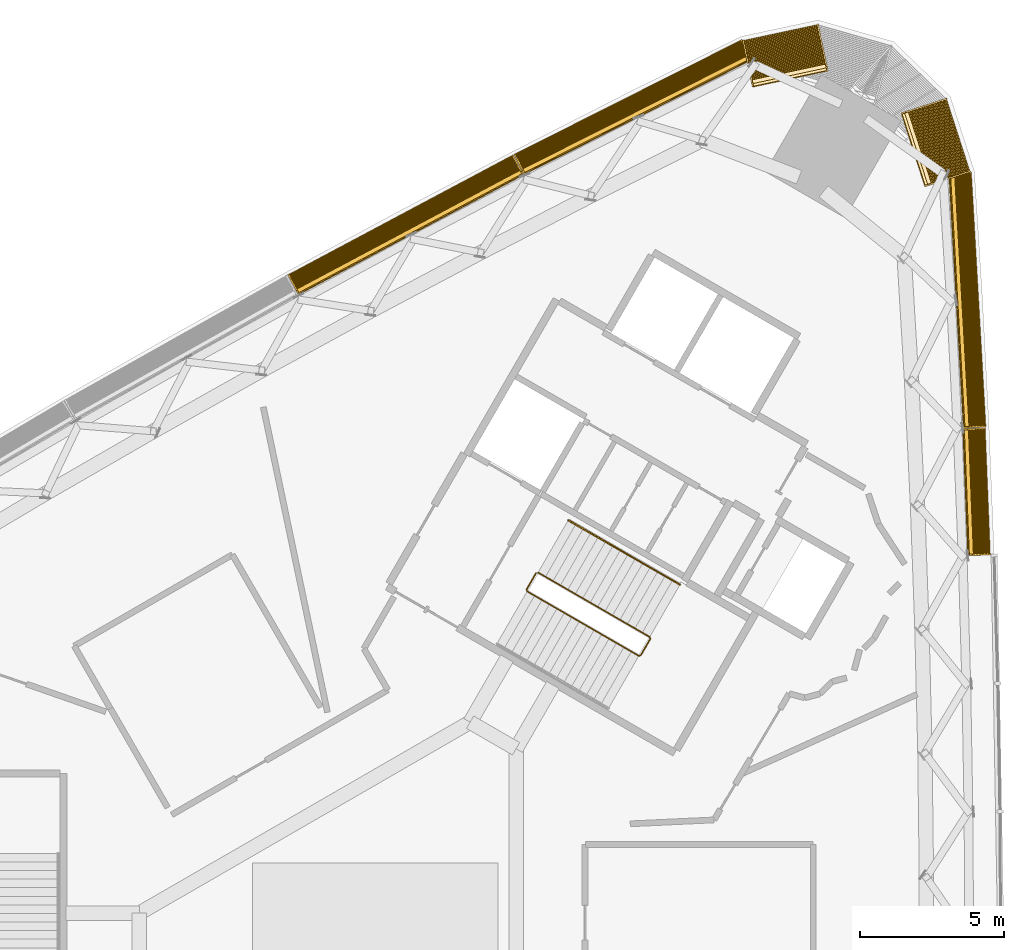
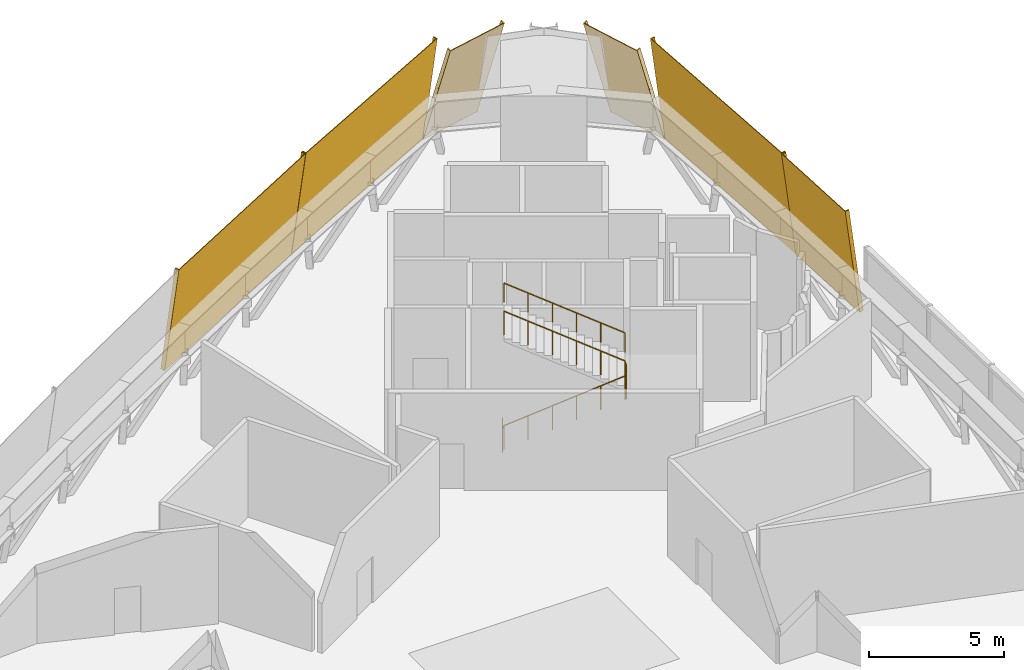
# One storey, part 16 of 17: 6 coverings, 2 railings.
"""IFC4 building model written with IfcOpenShell, lengths in metres."""

from ifc_helpers import new_model, si_unit, direction, frame, frame_2d, origin, origin_2d, place, context, subcontext, project, spatial, rectangle, circle, extrude, source, transform, mapped, material, type_object, element, save


model = new_model("IFC4")

# Units and contexts
model_context = context("Model", 3, precision=1e-05, world=origin(), true_north=direction((0.0, 1.0)))
body_context = subcontext(model_context, "Body", "Model", "MODEL_VIEW")
ifc_project = project(units=[si_unit("LENGTHUNIT", "METRE"), si_unit("AREAUNIT", "SQUARE_METRE"), si_unit("VOLUMEUNIT", "CUBIC_METRE"), si_unit("PLANEANGLEUNIT", "RADIAN"), si_unit("MASSUNIT", "GRAM", prefix="KILO")], contexts=[model_context])

# Site, building, storey
site_placement = place(None, origin())
site = spatial("IfcSite", under=ifc_project, at=site_placement, CompositionType="ELEMENT")
building_placement = place(site_placement, origin())
building = spatial("IfcBuilding", under=site, at=building_placement, Name="Tamra Quay Hotel Tower", CompositionType="ELEMENT")
storey_placement = place(building_placement, frame((0.0, 0.0, 119.0)))
storey = spatial("IfcBuildingStorey", under=building, at=storey_placement, Name="L29", CompositionType="ELEMENT", Elevation=119.0)

# Railings
ifc_material_1 = material(Name="Stair guard 1100")
railing_type_1 = type_object("IfcRailingType", Name="Stair guard 1100", PredefinedType="GUARDRAIL", material=ifc_material_1)
railing_1_placement = place(storey_placement, frame((5.595458984375, 12.751953125, 0.0)))
element("IfcRailing", 1, at=railing_1_placement, inside=storey, type_object=railing_type_1, Name="GR", PredefinedType="GUARDRAIL", context=body_context, shape_type="SweptSolid", body=[
    extrude(circle(Radius=0.02392578125, at=origin_2d()), frame((0.0, 0.0, 1.076171875), z_axis=(-0.499765215335, -0.866160914346, 0.0), x_axis=(0.866160914346, -0.499765215335, 0.0)), (0.0, 0.0, 1.0), 0.658935546875),
    extrude(circle(Radius=0.02392578125, at=origin_2d()), frame((-0.329345703125, -0.57080078125, 1.076171875), z_axis=(0.110525977783, -0.411156637351, 0.904839338113), x_axis=(0.965715946433, 0.259601060869, 0.0)), (0.0, 0.0, 1.0), 0.165771484375),
    extrude(circle(Radius=0.02392578125, at=origin_2d()), frame((-0.31103515625, -0.638916015625, 1.22607421875), z_axis=(0.774058831731, -0.446948546627, 0.448408208764), x_axis=(0.500038154266, 0.866003374288, 0.0)), (0.0, 0.0, 1.0), 5.017822265625),
    extrude(circle(Radius=0.02392578125, at=origin_2d()), frame((3.572998046875, -2.881591796875, 3.47607421875), z_axis=(0.965948051503, 0.258736085224, 0.0), x_axis=(-0.258736085224, 0.965948051503, 0.0)), (0.0, 0.0, 1.0), 0.07080078125),
    extrude(circle(Radius=0.02392578125, at=origin_2d()), frame((3.641357421875, -2.86328125, 3.47607421875), z_axis=(0.499765215335, 0.866160914346, 0.0), x_axis=(-0.866160914346, 0.499765215335, 0.0)), (0.0, 0.0, 1.0), 0.658935546875),
    extrude(circle(Radius=0.02392578125, at=origin_2d()), frame((3.970703125, -2.29248046875, 3.47607421875), z_axis=(-0.110312011401, 0.411831509231, 0.90455849349), x_axis=(-0.965948051503, -0.258736085224, 0.0)), (0.0, 0.0, 1.0), 0.166015625),
    extrude(circle(Radius=0.02392578125, at=origin_2d()), frame((3.952392578125, -2.22412109375, 3.6259765625), z_axis=(-0.774075664405, 0.446909609502, 0.448417959844), x_axis=(-0.499997328569, -0.86602694613, 0.0)), (0.0, 0.0, 1.0), 5.017578125),
    extrude(circle(Radius=0.02099609375, at=origin_2d()), origin(), (0.0, 0.0, 1.0), 1.052001953125),
    extrude(circle(Radius=0.02099609375, at=origin_2d()), frame((-0.329345703125, -0.57080078125, 0.0)), (0.0, 0.0, 1.0), 1.052001953125),
    extrude(circle(Radius=0.02099609375, at=origin_2d()), frame((-0.31103515625, -0.638916015625, 0.14990234375)), (0.0, 0.0, 1.0), 1.052001953125),
    extrude(circle(Radius=0.02099609375, at=origin_2d()), frame((0.4658203125, -1.08740234375, 0.599853515625)), (0.0, 0.0, 1.0), 1.052001953125),
    extrude(circle(Radius=0.02099609375, at=origin_2d()), frame((1.24267578125, -1.535888671875, 1.0498046875)), (0.0, 0.0, 1.0), 1.052001953125),
    extrude(circle(Radius=0.02099609375, at=origin_2d()), frame((2.019287109375, -1.984619140625, 1.5)), (0.0, 0.0, 1.0), 1.052001953125),
    extrude(circle(Radius=0.02099609375, at=origin_2d()), frame((2.796142578125, -2.43310546875, 1.949951171875)), (0.0, 0.0, 1.0), 1.052001953125),
    extrude(circle(Radius=0.02099609375, at=origin_2d()), frame((3.572998046875, -2.881591796875, 2.39990234375)), (0.0, 0.0, 1.0), 1.052001953125),
    extrude(circle(Radius=0.02099609375, at=origin_2d()), frame((3.641357421875, -2.86328125, 2.39990234375)), (0.0, 0.0, 1.0), 1.052001953125),
    extrude(circle(Radius=0.02099609375, at=origin_2d()), frame((3.970703125, -2.29248046875, 2.39990234375)), (0.0, 0.0, 1.0), 1.052001953125),
    extrude(circle(Radius=0.02099609375, at=origin_2d()), frame((3.952392578125, -2.22412109375, 2.550048828125)), (0.0, 0.0, 1.0), 1.052001953125),
    extrude(circle(Radius=0.02099609375, at=origin_2d()), frame((3.175537109375, -1.775634765625, 3.0)), (0.0, 0.0, 1.0), 1.052001953125),
    extrude(circle(Radius=0.02099609375, at=origin_2d()), frame((2.398681640625, -1.3271484375, 3.449951171875)), (0.0, 0.0, 1.0), 1.052001953125),
    extrude(circle(Radius=0.02099609375, at=origin_2d()), frame((1.6220703125, -0.878662109375, 3.900146484375)), (0.0, 0.0, 1.0), 1.052001953125),
    extrude(circle(Radius=0.02099609375, at=origin_2d()), frame((0.84521484375, -0.43017578125, 4.35009765625)), (0.0, 0.0, 1.0), 1.052001953125),
    extrude(circle(Radius=0.02099609375, at=origin_2d()), frame((0.068359375, 0.018310546875, 4.800048828125)), (0.0, 0.0, 1.0), 1.052001953125),
])
ifc_material_2 = material(Name="Stair handrail 900")
railing_type_2 = type_object("IfcRailingType", Name="Stair handrail 900", PredefinedType="HANDRAIL", material=ifc_material_2)
railing_2_placement = place(storey_placement, frame((10.597900390625, 12.346435546875, 2.550048828125)))
element("IfcRailing", 2, at=railing_2_placement, inside=storey, type_object=railing_type_2, Name="HR", PredefinedType="HANDRAIL", context=body_context, shape_type="SweptSolid", body=[
    extrude(circle(Radius=0.02392578125, at=origin_2d()), frame((0.0, 0.0, 0.8759765625), z_axis=(-0.774075664405, 0.446909609502, 0.448417959844), x_axis=(-0.499997328569, -0.86602694613, 0.0)), (0.0, 0.0, 1.0), 5.017578125),
    extrude(circle(Radius=0.02099609375, at=origin_2d()), origin(), (0.0, 0.0, 1.0), 0.851806640625),
    extrude(circle(Radius=0.02099609375, at=origin_2d()), frame((-0.77685546875, 0.448486328125, 0.449951171875)), (0.0, 0.0, 1.0), 0.851806640625),
    extrude(circle(Radius=0.02099609375, at=origin_2d()), frame((-1.5537109375, 0.89697265625, 0.89990234375)), (0.0, 0.0, 1.0), 0.851806640625),
    extrude(circle(Radius=0.02099609375, at=origin_2d()), frame((-2.330322265625, 1.345458984375, 1.35009765625)), (0.0, 0.0, 1.0), 0.851806640625),
    extrude(circle(Radius=0.02099609375, at=origin_2d()), frame((-3.107177734375, 1.7939453125, 1.800048828125)), (0.0, 0.0, 1.0), 0.851806640625),
    extrude(circle(Radius=0.02099609375, at=origin_2d()), frame((-3.884033203125, 2.242431640625, 2.25)), (0.0, 0.0, 1.0), 0.851806640625),
])

# Coverings
ifc_material_3 = material(Name="Terracotta louvre panel", Category="masonry")
covering_type_1 = type_object("IfcCoveringType", Name="PLANT LOUVRE H4841", PredefinedType="USERDEFINED", material=ifc_material_3)
shared_shape_1 = source(origin(), body_context, "Body", "SweptSolid", [
    extrude(rectangle(XDim=8.8798828125, YDim=0.030029296875, at=frame_2d((4.43994140625, 0.01513671875))), frame((-4.43994140625, -0.030029296875, 0.0)), (0.0, 0.0, 1.0), 4.841064453125),
    extrude(rectangle(XDim=0.050048828125, YDim=0.139892578125, at=frame_2d((0.02490234375, 0.06982421875))), frame((-4.43994140625, -0.169921875, 0.0)), (0.0, 0.0, 1.0), 4.841064453125),
    extrude(rectangle(XDim=0.050048828125, YDim=0.139892578125, at=frame_2d((0.02490234375, 0.06982421875))), frame((4.389892578125, -0.169921875, 0.0)), (0.0, 0.0, 1.0), 4.841064453125),
    extrude(rectangle(XDim=8.780029296875, YDim=0.139892578125, at=frame_2d((4.39013671875, 0.06982421875))), frame((-4.389892578125, -0.169921875, 0.050048828125)), (0.0, 0.0, 1.0), 0.034912109375),
    extrude(rectangle(XDim=8.780029296875, YDim=0.139892578125, at=frame_2d((4.39013671875, 0.06982421875))), frame((-4.389892578125, -0.169921875, 0.2099609375)), (0.0, 0.0, 1.0), 0.034912109375),
    extrude(rectangle(XDim=8.780029296875, YDim=0.139892578125, at=frame_2d((4.39013671875, 0.06982421875))), frame((-4.389892578125, -0.169921875, 0.3701171875)), (0.0, 0.0, 1.0), 0.034912109375),
    extrude(rectangle(XDim=8.780029296875, YDim=0.139892578125, at=frame_2d((4.39013671875, 0.06982421875))), frame((-4.389892578125, -0.169921875, 0.530029296875)), (0.0, 0.0, 1.0), 0.034912109375),
    extrude(rectangle(XDim=8.780029296875, YDim=0.139892578125, at=frame_2d((4.39013671875, 0.06982421875))), frame((-4.389892578125, -0.169921875, 0.68994140625)), (0.0, 0.0, 1.0), 0.034912109375),
    extrude(rectangle(XDim=8.780029296875, YDim=0.139892578125, at=frame_2d((4.39013671875, 0.06982421875))), frame((-4.389892578125, -0.169921875, 0.85009765625)), (0.0, 0.0, 1.0), 0.034912109375),
    extrude(rectangle(XDim=8.780029296875, YDim=0.139892578125, at=frame_2d((4.39013671875, 0.06982421875))), frame((-4.389892578125, -0.169921875, 1.010009765625)), (0.0, 0.0, 1.0), 0.034912109375),
    extrude(rectangle(XDim=8.780029296875, YDim=0.139892578125, at=frame_2d((4.39013671875, 0.06982421875))), frame((-4.389892578125, -0.169921875, 1.169921875)), (0.0, 0.0, 1.0), 0.034912109375),
    extrude(rectangle(XDim=8.780029296875, YDim=0.139892578125, at=frame_2d((4.39013671875, 0.06982421875))), frame((-4.389892578125, -0.169921875, 1.330078125)), (0.0, 0.0, 1.0), 0.034912109375),
    extrude(rectangle(XDim=8.780029296875, YDim=0.139892578125, at=frame_2d((4.39013671875, 0.06982421875))), frame((-4.389892578125, -0.169921875, 1.489990234375)), (0.0, 0.0, 1.0), 0.034912109375),
    extrude(rectangle(XDim=8.780029296875, YDim=0.139892578125, at=frame_2d((4.39013671875, 0.06982421875))), frame((-4.389892578125, -0.169921875, 1.64990234375)), (0.0, 0.0, 1.0), 0.034912109375),
    extrude(rectangle(XDim=8.780029296875, YDim=0.139892578125, at=frame_2d((4.39013671875, 0.06982421875))), frame((-4.389892578125, -0.169921875, 1.81005859375)), (0.0, 0.0, 1.0), 0.034912109375),
    extrude(rectangle(XDim=8.780029296875, YDim=0.139892578125, at=frame_2d((4.39013671875, 0.06982421875))), frame((-4.389892578125, -0.169921875, 1.969970703125)), (0.0, 0.0, 1.0), 0.034912109375),
    extrude(rectangle(XDim=8.780029296875, YDim=0.139892578125, at=frame_2d((4.39013671875, 0.06982421875))), frame((-4.389892578125, -0.169921875, 2.1298828125)), (0.0, 0.0, 1.0), 0.034912109375),
    extrude(rectangle(XDim=8.780029296875, YDim=0.139892578125, at=frame_2d((4.39013671875, 0.06982421875))), frame((-4.389892578125, -0.169921875, 2.2900390625)), (0.0, 0.0, 1.0), 0.034912109375),
    extrude(rectangle(XDim=8.780029296875, YDim=0.139892578125, at=frame_2d((4.39013671875, 0.06982421875))), frame((-4.389892578125, -0.169921875, 2.449951171875)), (0.0, 0.0, 1.0), 0.034912109375),
    extrude(rectangle(XDim=8.780029296875, YDim=0.139892578125, at=frame_2d((4.39013671875, 0.06982421875))), frame((-4.389892578125, -0.169921875, 2.610107421875)), (0.0, 0.0, 1.0), 0.034912109375),
    extrude(rectangle(XDim=8.780029296875, YDim=0.139892578125, at=frame_2d((4.39013671875, 0.06982421875))), frame((-4.389892578125, -0.169921875, 2.77001953125)), (0.0, 0.0, 1.0), 0.034912109375),
    extrude(rectangle(XDim=8.780029296875, YDim=0.139892578125, at=frame_2d((4.39013671875, 0.06982421875))), frame((-4.389892578125, -0.169921875, 2.929931640625)), (0.0, 0.0, 1.0), 0.034912109375),
    extrude(rectangle(XDim=8.780029296875, YDim=0.139892578125, at=frame_2d((4.39013671875, 0.06982421875))), frame((-4.389892578125, -0.169921875, 3.090087890625)), (0.0, 0.0, 1.0), 0.034912109375),
    extrude(rectangle(XDim=8.780029296875, YDim=0.139892578125, at=frame_2d((4.39013671875, 0.06982421875))), frame((-4.389892578125, -0.169921875, 3.25)), (0.0, 0.0, 1.0), 0.034912109375),
    extrude(rectangle(XDim=8.780029296875, YDim=0.139892578125, at=frame_2d((4.39013671875, 0.06982421875))), frame((-4.389892578125, -0.169921875, 3.409912109375)), (0.0, 0.0, 1.0), 0.034912109375),
    extrude(rectangle(XDim=8.780029296875, YDim=0.139892578125, at=frame_2d((4.39013671875, 0.06982421875))), frame((-4.389892578125, -0.169921875, 3.570068359375)), (0.0, 0.0, 1.0), 0.034912109375),
    extrude(rectangle(XDim=8.780029296875, YDim=0.139892578125, at=frame_2d((4.39013671875, 0.06982421875))), frame((-4.389892578125, -0.169921875, 3.72998046875)), (0.0, 0.0, 1.0), 0.034912109375),
    extrude(rectangle(XDim=8.780029296875, YDim=0.139892578125, at=frame_2d((4.39013671875, 0.06982421875))), frame((-4.389892578125, -0.169921875, 3.889892578125)), (0.0, 0.0, 1.0), 0.034912109375),
    extrude(rectangle(XDim=8.780029296875, YDim=0.139892578125, at=frame_2d((4.39013671875, 0.06982421875))), frame((-4.389892578125, -0.169921875, 4.050048828125)), (0.0, 0.0, 1.0), 0.034912109375),
    extrude(rectangle(XDim=8.780029296875, YDim=0.139892578125, at=frame_2d((4.39013671875, 0.06982421875))), frame((-4.389892578125, -0.169921875, 4.2099609375)), (0.0, 0.0, 1.0), 0.034912109375),
    extrude(rectangle(XDim=8.780029296875, YDim=0.139892578125, at=frame_2d((4.39013671875, 0.06982421875))), frame((-4.389892578125, -0.169921875, 4.3701171875)), (0.0, 0.0, 1.0), 0.034912109375),
    extrude(rectangle(XDim=8.780029296875, YDim=0.139892578125, at=frame_2d((4.39013671875, 0.06982421875))), frame((-4.389892578125, -0.169921875, 4.530029296875)), (0.0, 0.0, 1.0), 0.034912109375),
])
for number, where, z_axis, x_axis, name in (
    (3, (20.826171875, 22.258056640625, 0.0), (-0.130314008821, -0.007439486567, 0.991444861374), (-0.056996120399, 0.998374399842, 0.0), "Plant louvre L29.E.f10"),
    (4, (8.863037109375, 29.164794921875, 0.0), (0.058714220053, -0.116574985392, 0.991444861374), (-0.893115652951, -0.449827111738, 0.0), "Plant louvre L29.NW.f00"),
    (5, (0.953369140625, 25.067626953125, 0.0), (0.061353741996, -0.115207661198, 0.991444861374), (-0.882640175416, -0.470049274802, 0.0), "Plant louvre L29.NW.f02"),
):
    element("IfcCovering", number, at=place(storey_placement, frame(where, z_axis=z_axis, x_axis=x_axis)), inside=storey, type_object=covering_type_1, Name=name, ObjectType="LOUVER", PredefinedType="USERDEFINED", context=body_context, shape_type="MappedRepresentation", body=[
        mapped(shared_shape_1, transform((0.0, 0.0, 0.0), scale=1.0)),
    ])
shared_shape_2 = source(origin(), body_context, "Body", "SweptSolid", [
    extrude(rectangle(XDim=4.419921875, YDim=0.030029296875, at=frame_2d((2.2099609375, 0.01513671875))), frame((-2.2099609375, -0.030029296875, 0.0)), (0.0, 0.0, 1.0), 4.841064453125),
    extrude(rectangle(XDim=0.050048828125, YDim=0.139892578125, at=frame_2d((0.02490234375, 0.06982421875))), frame((-2.2099609375, -0.169921875, 0.0)), (0.0, 0.0, 1.0), 4.841064453125),
    extrude(rectangle(XDim=0.050048828125, YDim=0.139892578125, at=frame_2d((0.02490234375, 0.06982421875))), frame((2.159912109375, -0.169921875, 0.0)), (0.0, 0.0, 1.0), 4.841064453125),
    extrude(rectangle(XDim=4.320068359375, YDim=0.139892578125, at=frame_2d((2.16015625, 0.06982421875))), frame((-2.159912109375, -0.169921875, 0.050048828125)), (0.0, 0.0, 1.0), 0.034912109375),
    extrude(rectangle(XDim=4.320068359375, YDim=0.139892578125, at=frame_2d((2.16015625, 0.06982421875))), frame((-2.159912109375, -0.169921875, 0.2099609375)), (0.0, 0.0, 1.0), 0.034912109375),
    extrude(rectangle(XDim=4.320068359375, YDim=0.139892578125, at=frame_2d((2.16015625, 0.06982421875))), frame((-2.159912109375, -0.169921875, 0.3701171875)), (0.0, 0.0, 1.0), 0.034912109375),
    extrude(rectangle(XDim=4.320068359375, YDim=0.139892578125, at=frame_2d((2.16015625, 0.06982421875))), frame((-2.159912109375, -0.169921875, 0.530029296875)), (0.0, 0.0, 1.0), 0.034912109375),
    extrude(rectangle(XDim=4.320068359375, YDim=0.139892578125, at=frame_2d((2.16015625, 0.06982421875))), frame((-2.159912109375, -0.169921875, 0.68994140625)), (0.0, 0.0, 1.0), 0.034912109375),
    extrude(rectangle(XDim=4.320068359375, YDim=0.139892578125, at=frame_2d((2.16015625, 0.06982421875))), frame((-2.159912109375, -0.169921875, 0.85009765625)), (0.0, 0.0, 1.0), 0.034912109375),
    extrude(rectangle(XDim=4.320068359375, YDim=0.139892578125, at=frame_2d((2.16015625, 0.06982421875))), frame((-2.159912109375, -0.169921875, 1.010009765625)), (0.0, 0.0, 1.0), 0.034912109375),
    extrude(rectangle(XDim=4.320068359375, YDim=0.139892578125, at=frame_2d((2.16015625, 0.06982421875))), frame((-2.159912109375, -0.169921875, 1.169921875)), (0.0, 0.0, 1.0), 0.034912109375),
    extrude(rectangle(XDim=4.320068359375, YDim=0.139892578125, at=frame_2d((2.16015625, 0.06982421875))), frame((-2.159912109375, -0.169921875, 1.330078125)), (0.0, 0.0, 1.0), 0.034912109375),
    extrude(rectangle(XDim=4.320068359375, YDim=0.139892578125, at=frame_2d((2.16015625, 0.06982421875))), frame((-2.159912109375, -0.169921875, 1.489990234375)), (0.0, 0.0, 1.0), 0.034912109375),
    extrude(rectangle(XDim=4.320068359375, YDim=0.139892578125, at=frame_2d((2.16015625, 0.06982421875))), frame((-2.159912109375, -0.169921875, 1.64990234375)), (0.0, 0.0, 1.0), 0.034912109375),
    extrude(rectangle(XDim=4.320068359375, YDim=0.139892578125, at=frame_2d((2.16015625, 0.06982421875))), frame((-2.159912109375, -0.169921875, 1.81005859375)), (0.0, 0.0, 1.0), 0.034912109375),
    extrude(rectangle(XDim=4.320068359375, YDim=0.139892578125, at=frame_2d((2.16015625, 0.06982421875))), frame((-2.159912109375, -0.169921875, 1.969970703125)), (0.0, 0.0, 1.0), 0.034912109375),
    extrude(rectangle(XDim=4.320068359375, YDim=0.139892578125, at=frame_2d((2.16015625, 0.06982421875))), frame((-2.159912109375, -0.169921875, 2.1298828125)), (0.0, 0.0, 1.0), 0.034912109375),
    extrude(rectangle(XDim=4.320068359375, YDim=0.139892578125, at=frame_2d((2.16015625, 0.06982421875))), frame((-2.159912109375, -0.169921875, 2.2900390625)), (0.0, 0.0, 1.0), 0.034912109375),
    extrude(rectangle(XDim=4.320068359375, YDim=0.139892578125, at=frame_2d((2.16015625, 0.06982421875))), frame((-2.159912109375, -0.169921875, 2.449951171875)), (0.0, 0.0, 1.0), 0.034912109375),
    extrude(rectangle(XDim=4.320068359375, YDim=0.139892578125, at=frame_2d((2.16015625, 0.06982421875))), frame((-2.159912109375, -0.169921875, 2.610107421875)), (0.0, 0.0, 1.0), 0.034912109375),
    extrude(rectangle(XDim=4.320068359375, YDim=0.139892578125, at=frame_2d((2.16015625, 0.06982421875))), frame((-2.159912109375, -0.169921875, 2.77001953125)), (0.0, 0.0, 1.0), 0.034912109375),
    extrude(rectangle(XDim=4.320068359375, YDim=0.139892578125, at=frame_2d((2.16015625, 0.06982421875))), frame((-2.159912109375, -0.169921875, 2.929931640625)), (0.0, 0.0, 1.0), 0.034912109375),
    extrude(rectangle(XDim=4.320068359375, YDim=0.139892578125, at=frame_2d((2.16015625, 0.06982421875))), frame((-2.159912109375, -0.169921875, 3.090087890625)), (0.0, 0.0, 1.0), 0.034912109375),
    extrude(rectangle(XDim=4.320068359375, YDim=0.139892578125, at=frame_2d((2.16015625, 0.06982421875))), frame((-2.159912109375, -0.169921875, 3.25)), (0.0, 0.0, 1.0), 0.034912109375),
    extrude(rectangle(XDim=4.320068359375, YDim=0.139892578125, at=frame_2d((2.16015625, 0.06982421875))), frame((-2.159912109375, -0.169921875, 3.409912109375)), (0.0, 0.0, 1.0), 0.034912109375),
    extrude(rectangle(XDim=4.320068359375, YDim=0.139892578125, at=frame_2d((2.16015625, 0.06982421875))), frame((-2.159912109375, -0.169921875, 3.570068359375)), (0.0, 0.0, 1.0), 0.034912109375),
    extrude(rectangle(XDim=4.320068359375, YDim=0.139892578125, at=frame_2d((2.16015625, 0.06982421875))), frame((-2.159912109375, -0.169921875, 3.72998046875)), (0.0, 0.0, 1.0), 0.034912109375),
    extrude(rectangle(XDim=4.320068359375, YDim=0.139892578125, at=frame_2d((2.16015625, 0.06982421875))), frame((-2.159912109375, -0.169921875, 3.889892578125)), (0.0, 0.0, 1.0), 0.034912109375),
    extrude(rectangle(XDim=4.320068359375, YDim=0.139892578125, at=frame_2d((2.16015625, 0.06982421875))), frame((-2.159912109375, -0.169921875, 4.050048828125)), (0.0, 0.0, 1.0), 0.034912109375),
    extrude(rectangle(XDim=4.320068359375, YDim=0.139892578125, at=frame_2d((2.16015625, 0.06982421875))), frame((-2.159912109375, -0.169921875, 4.2099609375)), (0.0, 0.0, 1.0), 0.034912109375),
    extrude(rectangle(XDim=4.320068359375, YDim=0.139892578125, at=frame_2d((2.16015625, 0.06982421875))), frame((-2.159912109375, -0.169921875, 4.3701171875)), (0.0, 0.0, 1.0), 0.034912109375),
    extrude(rectangle(XDim=4.320068359375, YDim=0.139892578125, at=frame_2d((2.16015625, 0.06982421875))), frame((-2.159912109375, -0.169921875, 4.530029296875)), (0.0, 0.0, 1.0), 0.034912109375),
])
covering_placement = place(storey_placement, frame((21.1435546875, 15.584716796875, 0.0), z_axis=(-0.130422023632, -0.005213694203, 0.991444861374), x_axis=(-0.039943662758, 0.999201933448, 0.0)))
element("IfcCovering", 6, at=covering_placement, inside=storey, type_object=covering_type_1, Name="Plant louvre L29.E.f09s", ObjectType="LOUVER", PredefinedType="USERDEFINED", context=body_context, shape_type="MappedRepresentation", body=[
    mapped(shared_shape_2, transform((0.0, 0.0, 0.0), scale=1.0)),
])
covering_type_2 = type_object("IfcCoveringType", Name="PLANT LOUVRE H5033", PredefinedType="USERDEFINED", material=ifc_material_3)
shared_shape_3 = source(origin(), body_context, "Body", "SweptSolid", [
    extrude(rectangle(XDim=2.699951171875, YDim=0.030029296875, at=frame_2d((1.35009765625, 0.01513671875))), frame((-1.35009765625, -0.030029296875, 0.0)), (0.0, 0.0, 1.0), 5.032958984375),
    extrude(rectangle(XDim=0.050048828125, YDim=0.139892578125, at=frame_2d((0.02490234375, 0.06982421875))), frame((-1.35009765625, -0.169921875, 0.0)), (0.0, 0.0, 1.0), 5.032958984375),
    extrude(rectangle(XDim=0.050048828125, YDim=0.139892578125, at=frame_2d((0.02490234375, 0.06982421875))), frame((1.300048828125, -0.169921875, 0.0)), (0.0, 0.0, 1.0), 5.032958984375),
    extrude(rectangle(XDim=2.60009765625, YDim=0.139892578125, at=frame_2d((1.300048828125, 0.06982421875))), frame((-1.300048828125, -0.169921875, 0.050048828125)), (0.0, 0.0, 1.0), 0.034912109375),
    extrude(rectangle(XDim=2.60009765625, YDim=0.139892578125, at=frame_2d((1.300048828125, 0.06982421875))), frame((-1.300048828125, -0.169921875, 0.2099609375)), (0.0, 0.0, 1.0), 0.034912109375),
    extrude(rectangle(XDim=2.60009765625, YDim=0.139892578125, at=frame_2d((1.300048828125, 0.06982421875))), frame((-1.300048828125, -0.169921875, 0.3701171875)), (0.0, 0.0, 1.0), 0.034912109375),
    extrude(rectangle(XDim=2.60009765625, YDim=0.139892578125, at=frame_2d((1.300048828125, 0.06982421875))), frame((-1.300048828125, -0.169921875, 0.530029296875)), (0.0, 0.0, 1.0), 0.034912109375),
    extrude(rectangle(XDim=2.60009765625, YDim=0.139892578125, at=frame_2d((1.300048828125, 0.06982421875))), frame((-1.300048828125, -0.169921875, 0.68994140625)), (0.0, 0.0, 1.0), 0.034912109375),
    extrude(rectangle(XDim=2.60009765625, YDim=0.139892578125, at=frame_2d((1.300048828125, 0.06982421875))), frame((-1.300048828125, -0.169921875, 0.85009765625)), (0.0, 0.0, 1.0), 0.034912109375),
    extrude(rectangle(XDim=2.60009765625, YDim=0.139892578125, at=frame_2d((1.300048828125, 0.06982421875))), frame((-1.300048828125, -0.169921875, 1.010009765625)), (0.0, 0.0, 1.0), 0.034912109375),
    extrude(rectangle(XDim=2.60009765625, YDim=0.139892578125, at=frame_2d((1.300048828125, 0.06982421875))), frame((-1.300048828125, -0.169921875, 1.169921875)), (0.0, 0.0, 1.0), 0.034912109375),
    extrude(rectangle(XDim=2.60009765625, YDim=0.139892578125, at=frame_2d((1.300048828125, 0.06982421875))), frame((-1.300048828125, -0.169921875, 1.330078125)), (0.0, 0.0, 1.0), 0.034912109375),
    extrude(rectangle(XDim=2.60009765625, YDim=0.139892578125, at=frame_2d((1.300048828125, 0.06982421875))), frame((-1.300048828125, -0.169921875, 1.489990234375)), (0.0, 0.0, 1.0), 0.034912109375),
    extrude(rectangle(XDim=2.60009765625, YDim=0.139892578125, at=frame_2d((1.300048828125, 0.06982421875))), frame((-1.300048828125, -0.169921875, 1.64990234375)), (0.0, 0.0, 1.0), 0.034912109375),
    extrude(rectangle(XDim=2.60009765625, YDim=0.139892578125, at=frame_2d((1.300048828125, 0.06982421875))), frame((-1.300048828125, -0.169921875, 1.81005859375)), (0.0, 0.0, 1.0), 0.034912109375),
    extrude(rectangle(XDim=2.60009765625, YDim=0.139892578125, at=frame_2d((1.300048828125, 0.06982421875))), frame((-1.300048828125, -0.169921875, 1.969970703125)), (0.0, 0.0, 1.0), 0.034912109375),
    extrude(rectangle(XDim=2.60009765625, YDim=0.139892578125, at=frame_2d((1.300048828125, 0.06982421875))), frame((-1.300048828125, -0.169921875, 2.1298828125)), (0.0, 0.0, 1.0), 0.034912109375),
    extrude(rectangle(XDim=2.60009765625, YDim=0.139892578125, at=frame_2d((1.300048828125, 0.06982421875))), frame((-1.300048828125, -0.169921875, 2.2900390625)), (0.0, 0.0, 1.0), 0.034912109375),
    extrude(rectangle(XDim=2.60009765625, YDim=0.139892578125, at=frame_2d((1.300048828125, 0.06982421875))), frame((-1.300048828125, -0.169921875, 2.449951171875)), (0.0, 0.0, 1.0), 0.034912109375),
    extrude(rectangle(XDim=2.60009765625, YDim=0.139892578125, at=frame_2d((1.300048828125, 0.06982421875))), frame((-1.300048828125, -0.169921875, 2.610107421875)), (0.0, 0.0, 1.0), 0.034912109375),
    extrude(rectangle(XDim=2.60009765625, YDim=0.139892578125, at=frame_2d((1.300048828125, 0.06982421875))), frame((-1.300048828125, -0.169921875, 2.77001953125)), (0.0, 0.0, 1.0), 0.034912109375),
    extrude(rectangle(XDim=2.60009765625, YDim=0.139892578125, at=frame_2d((1.300048828125, 0.06982421875))), frame((-1.300048828125, -0.169921875, 2.929931640625)), (0.0, 0.0, 1.0), 0.034912109375),
    extrude(rectangle(XDim=2.60009765625, YDim=0.139892578125, at=frame_2d((1.300048828125, 0.06982421875))), frame((-1.300048828125, -0.169921875, 3.090087890625)), (0.0, 0.0, 1.0), 0.034912109375),
    extrude(rectangle(XDim=2.60009765625, YDim=0.139892578125, at=frame_2d((1.300048828125, 0.06982421875))), frame((-1.300048828125, -0.169921875, 3.25)), (0.0, 0.0, 1.0), 0.034912109375),
    extrude(rectangle(XDim=2.60009765625, YDim=0.139892578125, at=frame_2d((1.300048828125, 0.06982421875))), frame((-1.300048828125, -0.169921875, 3.409912109375)), (0.0, 0.0, 1.0), 0.034912109375),
    extrude(rectangle(XDim=2.60009765625, YDim=0.139892578125, at=frame_2d((1.300048828125, 0.06982421875))), frame((-1.300048828125, -0.169921875, 3.570068359375)), (0.0, 0.0, 1.0), 0.034912109375),
    extrude(rectangle(XDim=2.60009765625, YDim=0.139892578125, at=frame_2d((1.300048828125, 0.06982421875))), frame((-1.300048828125, -0.169921875, 3.72998046875)), (0.0, 0.0, 1.0), 0.034912109375),
    extrude(rectangle(XDim=2.60009765625, YDim=0.139892578125, at=frame_2d((1.300048828125, 0.06982421875))), frame((-1.300048828125, -0.169921875, 3.889892578125)), (0.0, 0.0, 1.0), 0.034912109375),
    extrude(rectangle(XDim=2.60009765625, YDim=0.139892578125, at=frame_2d((1.300048828125, 0.06982421875))), frame((-1.300048828125, -0.169921875, 4.050048828125)), (0.0, 0.0, 1.0), 0.034912109375),
    extrude(rectangle(XDim=2.60009765625, YDim=0.139892578125, at=frame_2d((1.300048828125, 0.06982421875))), frame((-1.300048828125, -0.169921875, 4.2099609375)), (0.0, 0.0, 1.0), 0.034912109375),
    extrude(rectangle(XDim=2.60009765625, YDim=0.139892578125, at=frame_2d((1.300048828125, 0.06982421875))), frame((-1.300048828125, -0.169921875, 4.3701171875)), (0.0, 0.0, 1.0), 0.034912109375),
    extrude(rectangle(XDim=2.60009765625, YDim=0.139892578125, at=frame_2d((1.300048828125, 0.06982421875))), frame((-1.300048828125, -0.169921875, 4.530029296875)), (0.0, 0.0, 1.0), 0.034912109375),
    extrude(rectangle(XDim=2.60009765625, YDim=0.139892578125, at=frame_2d((1.300048828125, 0.06982421875))), frame((-1.300048828125, -0.169921875, 4.68994140625)), (0.0, 0.0, 1.0), 0.034912109375),
])
for number, where, z_axis, x_axis, name in (
    (7, (20.13916015625, 27.9345703125, 0.0), (-0.286107746848, -0.092554497726, 0.953716950748), (-0.307790863622, 0.951454036867, 0.0), "Plant louvre L29.E.c00"),
    (8, (14.12255859375, 31.408447265625, 0.0), (0.062899327159, -0.294053825852, 0.953716950748), (-0.977878798271, -0.209172311484, 0.0), "Plant louvre L29.E.c03"),
):
    element("IfcCovering", number, at=place(storey_placement, frame(where, z_axis=z_axis, x_axis=x_axis)), inside=storey, type_object=covering_type_2, Name=name, ObjectType="LOUVER", PredefinedType="USERDEFINED", context=body_context, shape_type="MappedRepresentation", body=[
        mapped(shared_shape_3, transform((0.0, 0.0, 0.0), scale=1.0)),
    ])

save(model, "model.ifc")
